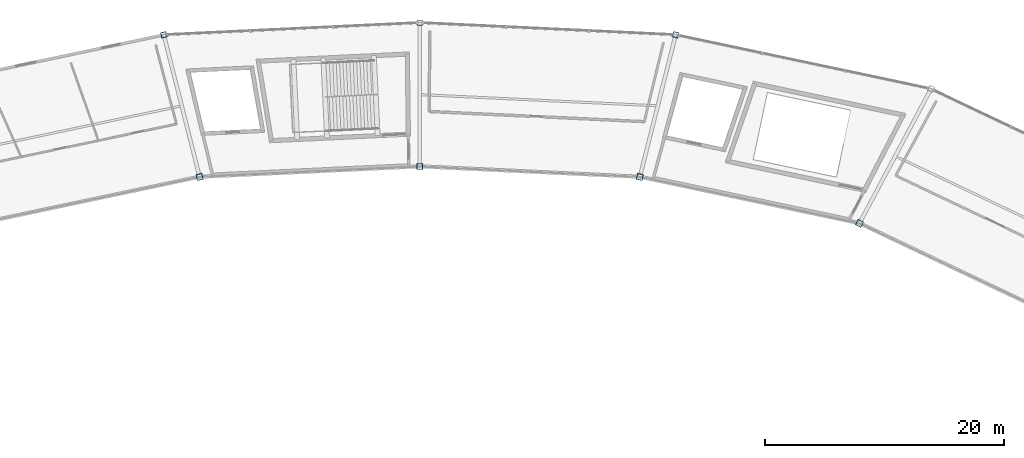
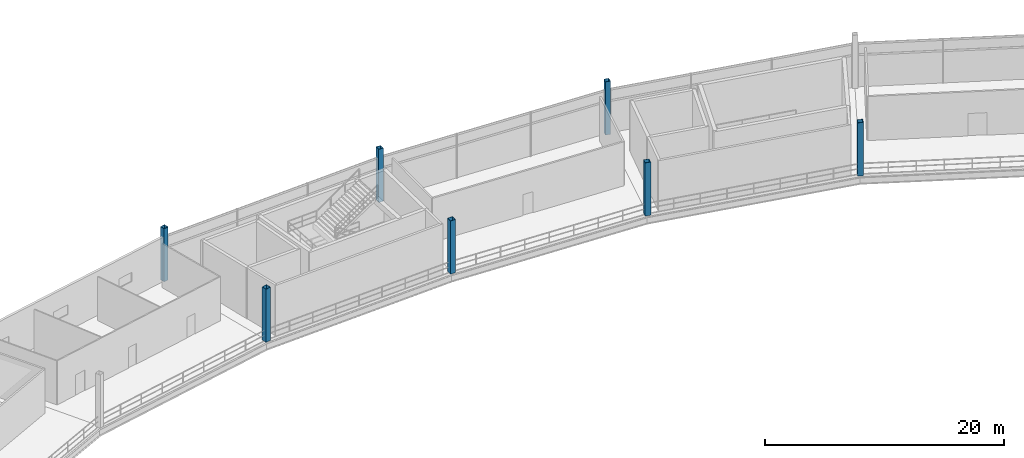
# One storey, part 9 of 103: 7 columns.
"""IFC4 building model written with IfcOpenShell, lengths in metres."""

from ifc_helpers import new_model, si_unit, direction, frame, origin, origin_2d, place, context, subcontext, project, spatial, hollow_rectangle, extrude, material, material_profile, profile_set, type_object, element, save


model = new_model("IFC4")

# Units and contexts
model_context = context("Model", 3, precision=1e-05, world=origin(), true_north=direction((0.0, 1.0)))
body_context = subcontext(model_context, "Body", "Model", "MODEL_VIEW")
ifc_project = project(units=[si_unit("LENGTHUNIT", "METRE"), si_unit("AREAUNIT", "SQUARE_METRE"), si_unit("VOLUMEUNIT", "CUBIC_METRE"), si_unit("PLANEANGLEUNIT", "RADIAN"), si_unit("MASSUNIT", "GRAM", prefix="KILO")], contexts=[model_context])

# Site, building, storey
site_placement = place(None, origin())
site = spatial("IfcSite", under=ifc_project, at=site_placement, CompositionType="ELEMENT")
building_placement = place(site_placement, origin())
building = spatial("IfcBuilding", under=site, at=building_placement, Name="Kazemori Nagisa Stadium", CompositionType="ELEMENT")
storey_placement = place(building_placement, frame((0.0, 0.0, 25.840087890625)))
storey = spatial("IfcBuildingStorey", under=building, at=storey_placement, Name="L05", CompositionType="ELEMENT", Elevation=25.840087890625)

# Columns
ifc_material = material(Name="Steel STKR490", Category="steel")
ifc_material_profile_1 = material_profile(ifc_material, hollow_rectangle(XDim=0.449951171875, YDim=0.449951171875, WallThickness=0.02197265625, at=origin_2d()), Name="SHS-450x450x22")
ifc_profile_set_1 = profile_set([ifc_material_profile_1], Name="Steel STKR490")
column_type_1 = type_object("IfcColumnType", Name="Column_C-ST450", PredefinedType="COLUMN", material=ifc_profile_set_1)
for number, where, z_axis, x_axis, name in (
    (1, (144.427734375, 186.98681640625, 0.0), (0.0, 0.0, 1.0), (0.222520933954, 0.974927912182, 0.0), "Column C-ST450 L05 R3-07"),
    (2, (123.0, 188.0, 0.0), (0.0, 0.0, 1.0), (0.0, 1.0, 0.0), "Column C-ST450 L05 R3-08"),
    (3, (101.572265625, 186.98681640625, 0.0), (0.0, 0.0, 1.0), (-0.222520933954, 0.974927912182, 0.0), "Column C-ST450 L05 R3-09"),
):
    element("IfcColumn", number, at=place(storey_placement, frame(where, z_axis=z_axis, x_axis=x_axis)), inside=storey, type_object=column_type_1, Name=name, PredefinedType="COLUMN", context=body_context, shape_type="SweptSolid", body=[
        extrude(hollow_rectangle(XDim=0.449951171875, YDim=0.449951171875, WallThickness=0.02197265625, at=origin_2d()), origin(), (0.0, 0.0, 1.0), 5.43994140625),
    ])
ifc_material_profile_2 = material_profile(ifc_material, hollow_rectangle(XDim=0.5, YDim=0.5, WallThickness=0.02197265625, at=origin_2d()), Name="SHS-500x500x22")
ifc_profile_set_2 = profile_set([ifc_material_profile_2], Name="Steel STKR490")
column_type_2 = type_object("IfcColumnType", Name="Column_C-ST500", PredefinedType="COLUMN", material=ifc_profile_set_2)
for number, where, z_axis, x_axis, name in (
    (4, (159.81201171875, 171.19921875, 0.0), (0.0, 0.0, 1.0), (0.433883739113, 0.900968867905, 0.0), "Column C-ST500 L05 R2-06"),
    (5, (141.427734375, 175.088623046875, 0.0), (0.0, 0.0, 1.0), (0.222520933954, 0.974927912182, 0.0), "Column C-ST500 L05 R2-07"),
    (6, (123.0, 175.9599609375, 0.0), (0.0, 0.0, 1.0), (0.0, 1.0, 0.0), "Column C-ST500 L05 R2-08"),
    (7, (104.572265625, 175.088623046875, 0.0), (0.0, 0.0, 1.0), (-0.222520933954, 0.974927912182, 0.0), "Column C-ST500 L05 R2-09"),
):
    element("IfcColumn", number, at=place(storey_placement, frame(where, z_axis=z_axis, x_axis=x_axis)), inside=storey, type_object=column_type_2, Name=name, PredefinedType="COLUMN", context=body_context, shape_type="SweptSolid", body=[
        extrude(hollow_rectangle(XDim=0.5, YDim=0.5, WallThickness=0.02197265625, at=origin_2d()), origin(), (0.0, 0.0, 1.0), 5.43994140625),
    ])

save(model, "model.ifc")
